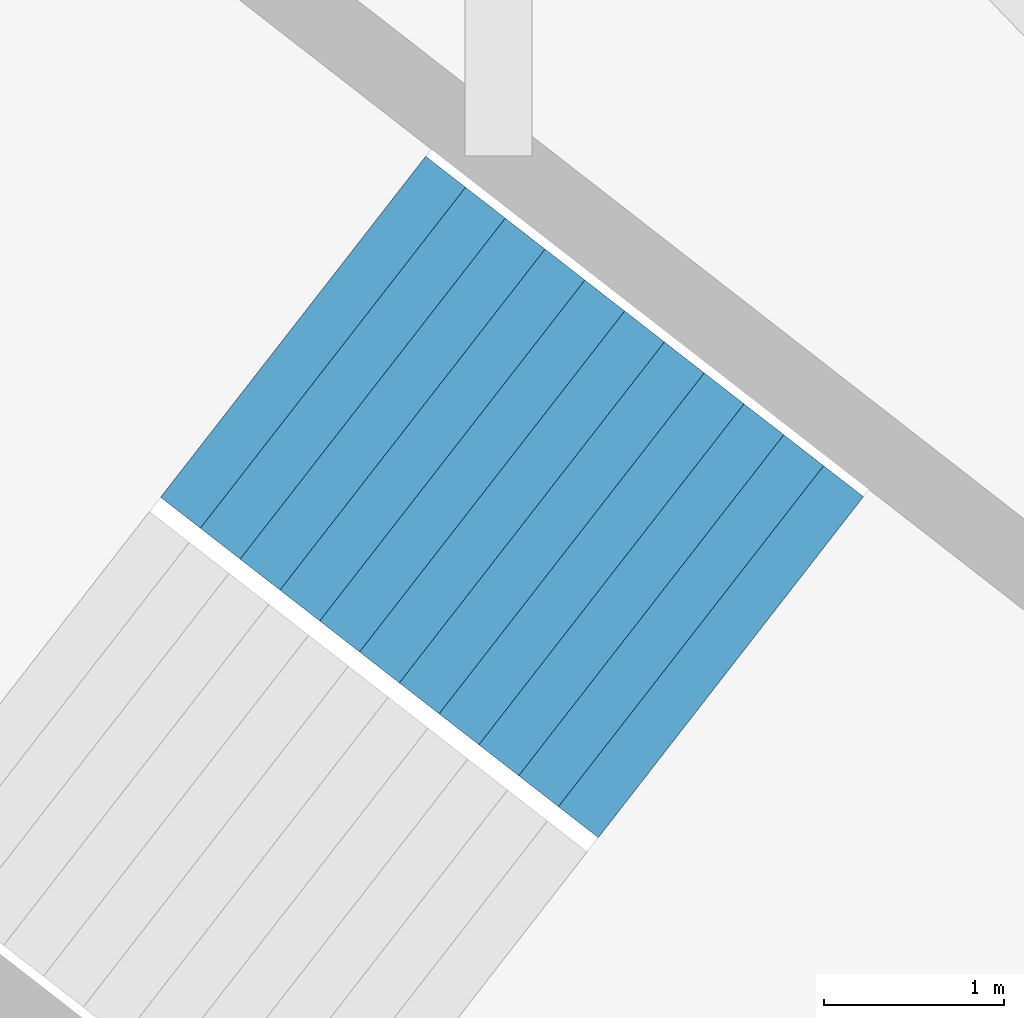
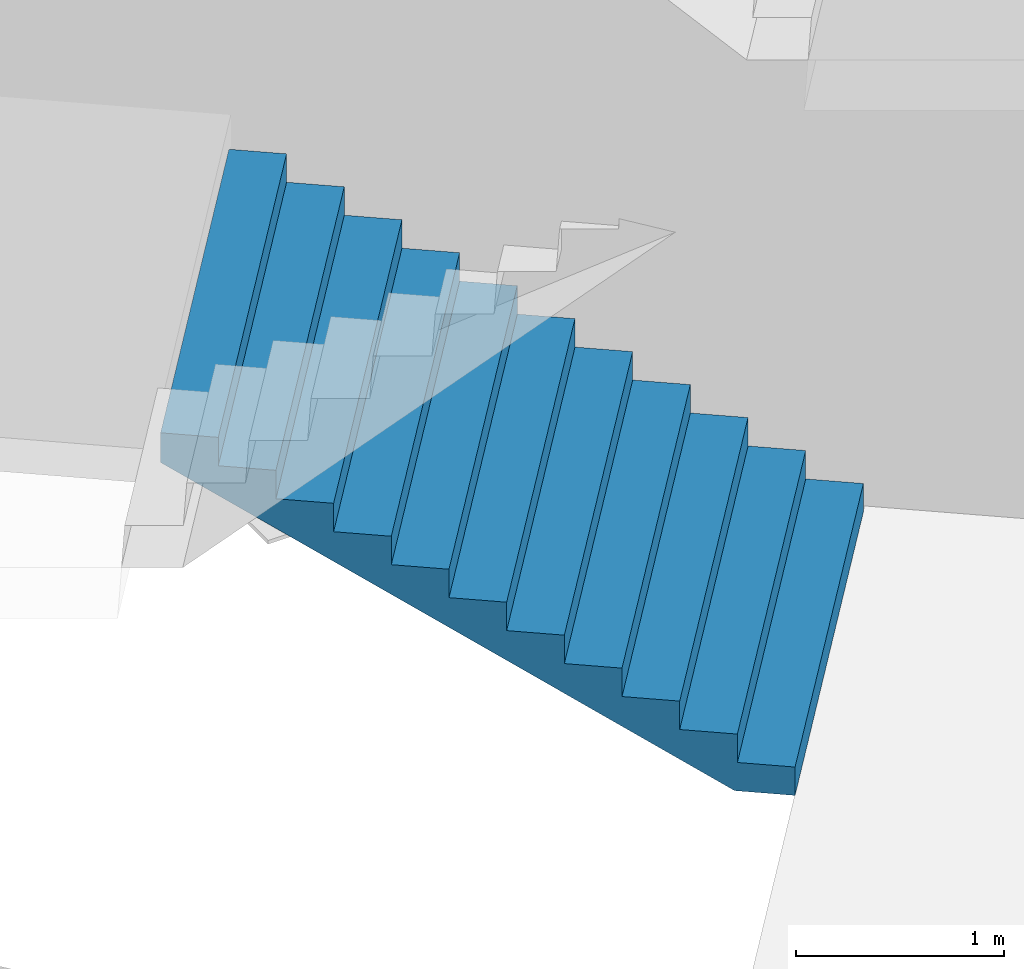
# One storey, part 40 of 74: 1 stair flight, 1 element without a shape of its own.
"""IFC4 building model written with IfcOpenShell, lengths in metres."""

from ifc_helpers import new_model, si_unit, direction, frame, origin, place, context, subcontext, project, spatial, triangles, material, type_object, element, aggregate, save


model = new_model("IFC4")

# Units and contexts
model_context = context("Model", 3, precision=1e-05, world=origin(), true_north=direction((0.0, 1.0)))
body_context = subcontext(model_context, "Body", "Model", "MODEL_VIEW")
ifc_project = project(units=[si_unit("LENGTHUNIT", "METRE"), si_unit("AREAUNIT", "SQUARE_METRE"), si_unit("VOLUMEUNIT", "CUBIC_METRE"), si_unit("PLANEANGLEUNIT", "RADIAN"), si_unit("MASSUNIT", "GRAM", prefix="KILO")], contexts=[model_context])

# Site, building, storey
site_placement = place(None, origin())
site = spatial("IfcSite", under=ifc_project, at=site_placement, CompositionType="ELEMENT")
building_placement = place(site_placement, origin())
building = spatial("IfcBuilding", under=site, at=building_placement, Name="Lantaw Convention Tower", CompositionType="ELEMENT")
storey_placement = place(building_placement, frame((0.0, 0.0, 6.5)))
storey = spatial("IfcBuildingStorey", under=building, at=storey_placement, Name="L01", CompositionType="ELEMENT", Elevation=6.5)

# Stair, stair flight
ifc_material = material(Name="Concrete C35/45", Category="concrete")
stair_type = type_object("IfcStairType", Name="Exit stair 2400 riser 166.67 in 4 flights", PredefinedType="HALF_TURN_STAIR", material=ifc_material)
stair_placement = place(storey_placement, origin())
stair = element("IfcStair", 1, at=stair_placement, inside=storey, type_object=stair_type, Name="Podium exit stair P7 L01", PredefinedType="HALF_TURN_STAIR")
stair_flight_type = type_object("IfcStairFlightType", Name="Stair flight 2400 riser 166.67", PredefinedType="STRAIGHT", material=ifc_material)
stair_flight_placement = place(storey_placement, frame((-27.959716796875, 23.327880859375, 0.0), z_axis=(0.0, 0.0, 1.0), x_axis=(-0.789378829664, 0.613906396186, 0.0)))
stair_flight = element("IfcStairFlight", 2, at=stair_flight_placement, type_object=stair_flight_type, Name="P7 flight 1", NumberOfRisers=12, NumberOfTreads=11, PredefinedType="STRAIGHT", RiserHeight=0.166666667, TreadLength=0.28, context=body_context, shape_type="Tessellation", body=[
    triangles([(0.0, 1.199951171875, 0.0), (0.0, 1.199951171875, 0.166666667), (0.28, 1.199951171875, 0.0), (0.28, 1.199951171875, 0.166666667), (0.28, 1.199951171875, 0.333333334), (0.29307345806906726, 1.199951171875, 0.0), (0.29307345806906726, 1.199951171875, 0.333333334), (0.56, 1.199951171875, 0.15888484670522965), (0.56, 1.199951171875, 0.333333334), (0.56, 1.199951171875, 0.500000001), (0.8400000000000001, 1.199951171875, 0.3255515137052296), (0.8400000000000001, 1.199951171875, 0.500000001), (0.8400000000000001, 1.199951171875, 0.666666668), (1.12, 1.199951171875, 0.4922181807052296), (1.12, 1.199951171875, 0.666666668), (1.12, 1.199951171875, 0.833333335), (1.4000000000000001, 1.199951171875, 0.6588848477052296), (1.4000000000000001, 1.199951171875, 0.833333335), (1.4000000000000001, 1.199951171875, 1.000000002), (1.6800000000000002, 1.199951171875, 0.8255515147052296), (1.6800000000000002, 1.199951171875, 1.000000002), (1.6800000000000002, 1.199951171875, 1.166666669), (1.9600000000000002, 1.199951171875, 0.9922181817052296), (1.9600000000000002, 1.199951171875, 1.166666669), (1.9600000000000002, 1.199951171875, 1.333333336), (2.24, 1.199951171875, 1.1588848487052295), (2.24, 1.199951171875, 1.333333336), (2.24, 1.199951171875, 1.5000000029999998), (2.5200000000000005, 1.199951171875, 1.3255515157052296), (2.5200000000000005, 1.199951171875, 1.5000000029999998), (2.5200000000000005, 1.199951171875, 1.66666667), (2.8000000000000003, 1.199951171875, 1.4922181827052294), (2.8000000000000003, 1.199951171875, 1.66666667), (2.8000000000000003, 1.199951171875, 1.833333337), (3.08, 1.199951171875, 1.6588848497052293), (3.08, 1.199951171875, 1.833333337), (0.0, -1.199951171875, 0.0), (0.0, -1.199951171875, 0.166666667), (0.28, -1.199951171875, 0.0), (0.28, -1.199951171875, 0.166666667), (0.28, -1.199951171875, 0.333333334), (0.29307345806906726, -1.199951171875, 0.0), (0.29307345806906726, -1.199951171875, 0.333333334), (0.56, -1.199951171875, 0.15888484670522965), (0.56, -1.199951171875, 0.333333334), (0.56, -1.199951171875, 0.500000001), (0.8400000000000001, -1.199951171875, 0.3255515137052296), (0.8400000000000001, -1.199951171875, 0.500000001), (0.8400000000000001, -1.199951171875, 0.666666668), (1.12, -1.199951171875, 0.4922181807052296), (1.12, -1.199951171875, 0.666666668), (1.12, -1.199951171875, 0.833333335), (1.4000000000000001, -1.199951171875, 0.6588848477052296), (1.4000000000000001, -1.199951171875, 0.833333335), (1.4000000000000001, -1.199951171875, 1.000000002), (1.6800000000000002, -1.199951171875, 0.8255515147052296), (1.6800000000000002, -1.199951171875, 1.000000002), (1.6800000000000002, -1.199951171875, 1.166666669), (1.9600000000000002, -1.199951171875, 0.9922181817052296), (1.9600000000000002, -1.199951171875, 1.166666669), (1.9600000000000002, -1.199951171875, 1.333333336), (2.24, -1.199951171875, 1.1588848487052295), (2.24, -1.199951171875, 1.333333336), (2.24, -1.199951171875, 1.5000000029999998), (2.5200000000000005, -1.199951171875, 1.3255515157052296), (2.5200000000000005, -1.199951171875, 1.5000000029999998), (2.5200000000000005, -1.199951171875, 1.66666667), (2.8000000000000003, -1.199951171875, 1.4922181827052294), (2.8000000000000003, -1.199951171875, 1.66666667), (2.8000000000000003, -1.199951171875, 1.833333337), (3.08, -1.199951171875, 1.6588848497052293), (3.08, -1.199951171875, 1.833333337), (0.0, 0.239990234375, 0.166666667), (0.0, 0.239990234375, 0.0), (0.0, 0.1199951171875, 0.166666667), (0.0, 0.1199951171875, 0.0), (0.0, 0.0, 0.166666667), (0.0, 0.0, 0.0), (0.0, -0.1199951171875, 0.166666667), (0.0, -0.1199951171875, 0.0), (0.0, -0.239990234375, 0.166666667), (0.0, -0.239990234375, 0.0), (0.28, 0.239990234375, 0.333333334), (0.28, 0.239990234375, 0.166666667), (0.28, 0.1199951171875, 0.333333334), (0.28, 0.1199951171875, 0.166666667), (0.28, 0.0, 0.333333334), (0.28, 0.0, 0.166666667), (0.28, -0.1199951171875, 0.333333334), (0.28, -0.1199951171875, 0.166666667), (0.28, -0.239990234375, 0.333333334), (0.28, -0.239990234375, 0.166666667), (0.56, 0.239990234375, 0.500000001), (0.56, 0.239990234375, 0.333333334), (0.56, 0.1199951171875, 0.500000001), (0.56, 0.1199951171875, 0.333333334), (0.56, 0.0, 0.500000001), (0.56, 0.0, 0.333333334), (0.56, -0.1199951171875, 0.500000001), (0.56, -0.1199951171875, 0.333333334), (0.56, -0.239990234375, 0.500000001), (0.56, -0.239990234375, 0.333333334), (0.8400000000000001, 0.239990234375, 0.666666668), (0.8400000000000001, 0.239990234375, 0.500000001), (0.8400000000000001, 0.1199951171875, 0.666666668), (0.8400000000000001, 0.1199951171875, 0.500000001), (0.8400000000000001, 0.0, 0.666666668), (0.8400000000000001, 0.0, 0.500000001), (0.8400000000000001, -0.1199951171875, 0.666666668), (0.8400000000000001, -0.1199951171875, 0.500000001), (0.8400000000000001, -0.239990234375, 0.666666668), (0.8400000000000001, -0.239990234375, 0.500000001), (1.12, 0.239990234375, 0.833333335), (1.12, 0.239990234375, 0.666666668), (1.12, 0.1199951171875, 0.833333335), (1.12, 0.1199951171875, 0.666666668), (1.12, 0.0, 0.833333335), (1.12, 0.0, 0.666666668), (1.12, -0.1199951171875, 0.833333335), (1.12, -0.1199951171875, 0.666666668), (1.12, -0.239990234375, 0.833333335), (1.12, -0.239990234375, 0.666666668), (1.4000000000000001, 0.239990234375, 1.000000002), (1.4000000000000001, 0.239990234375, 0.833333335), (1.4000000000000001, 0.1199951171875, 1.000000002), (1.4000000000000001, 0.1199951171875, 0.833333335), (1.4000000000000001, 0.0, 1.000000002), (1.4000000000000001, 0.0, 0.833333335), (1.4000000000000001, -0.1199951171875, 1.000000002), (1.4000000000000001, -0.1199951171875, 0.833333335), (1.4000000000000001, -0.239990234375, 1.000000002), (1.4000000000000001, -0.239990234375, 0.833333335), (1.6800000000000002, 0.239990234375, 1.166666669), (1.6800000000000002, 0.239990234375, 1.000000002), (1.6800000000000002, 0.1199951171875, 1.166666669), (1.6800000000000002, 0.1199951171875, 1.000000002), (1.6800000000000002, 0.0, 1.166666669), (1.6800000000000002, 0.0, 1.000000002), (1.6800000000000002, -0.1199951171875, 1.166666669), (1.6800000000000002, -0.1199951171875, 1.000000002), (1.6800000000000002, -0.239990234375, 1.166666669), (1.6800000000000002, -0.239990234375, 1.000000002), (1.9600000000000002, 0.239990234375, 1.333333336), (1.9600000000000002, 0.239990234375, 1.166666669), (1.9600000000000002, 0.1199951171875, 1.333333336), (1.9600000000000002, 0.1199951171875, 1.166666669), (1.9600000000000002, 0.0, 1.333333336), (1.9600000000000002, 0.0, 1.166666669), (1.9600000000000002, -0.1199951171875, 1.333333336), (1.9600000000000002, -0.1199951171875, 1.166666669), (1.9600000000000002, -0.239990234375, 1.333333336), (1.9600000000000002, -0.239990234375, 1.166666669), (2.24, 0.239990234375, 1.5000000029999998), (2.24, 0.239990234375, 1.333333336), (2.24, 0.1199951171875, 1.5000000029999998), (2.24, 0.1199951171875, 1.333333336), (2.24, 0.0, 1.5000000029999998), (2.24, 0.0, 1.333333336), (2.24, -0.1199951171875, 1.5000000029999998), (2.24, -0.1199951171875, 1.333333336), (2.24, -0.239990234375, 1.5000000029999998), (2.24, -0.239990234375, 1.333333336), (2.5200000000000005, 0.239990234375, 1.66666667), (2.5200000000000005, 0.239990234375, 1.5000000029999998), (2.5200000000000005, 0.1199951171875, 1.66666667), (2.5200000000000005, 0.1199951171875, 1.5000000029999998), (2.5200000000000005, 0.0, 1.66666667), (2.5200000000000005, 0.0, 1.5000000029999998), (2.5200000000000005, -0.1199951171875, 1.66666667), (2.5200000000000005, -0.1199951171875, 1.5000000029999998), (2.5200000000000005, -0.239990234375, 1.66666667), (2.5200000000000005, -0.239990234375, 1.5000000029999998), (2.8000000000000003, 0.239990234375, 1.833333337), (2.8000000000000003, 0.239990234375, 1.66666667), (2.8000000000000003, 0.1199951171875, 1.833333337), (2.8000000000000003, 0.1199951171875, 1.66666667), (2.8000000000000003, 0.0, 1.833333337), (2.8000000000000003, 0.0, 1.66666667), (2.8000000000000003, -0.1199951171875, 1.833333337), (2.8000000000000003, -0.1199951171875, 1.66666667), (2.8000000000000003, -0.239990234375, 1.833333337), (2.8000000000000003, -0.239990234375, 1.66666667), (0.29307345806906726, 0.239990234375, 0.333333334), (0.29307345806906726, 0.1199951171875, 0.333333334), (0.29307345806906726, 0.0, 0.333333334), (0.29307345806906726, -0.1199951171875, 0.333333334), (0.29307345806906726, -0.239990234375, 0.333333334), (3.08, 0.239990234375, 1.833333337), (3.08, 0.1199951171875, 1.833333337), (3.08, 0.0, 1.833333337), (3.08, -0.1199951171875, 1.833333337), (3.08, -0.239990234375, 1.833333337), (3.08, 0.239990234375, 1.6588848497052293), (3.08, 0.1199951171875, 1.6588848497052293), (3.08, 0.0, 1.6588848497052293), (3.08, -0.1199951171875, 1.6588848497052293), (3.08, -0.239990234375, 1.6588848497052293), (2.8000000000000003, 0.239990234375, 1.4922181827052294), (2.8000000000000003, 0.1199951171875, 1.4922181827052294), (2.8000000000000003, 0.0, 1.4922181827052294), (2.8000000000000003, -0.1199951171875, 1.4922181827052294), (2.8000000000000003, -0.239990234375, 1.4922181827052294), (2.5200000000000005, 0.239990234375, 1.3255515157052296), (2.5200000000000005, 0.1199951171875, 1.3255515157052296), (2.5200000000000005, 0.0, 1.3255515157052296), (2.5200000000000005, -0.1199951171875, 1.3255515157052296), (2.5200000000000005, -0.239990234375, 1.3255515157052296), (2.24, 0.239990234375, 1.1588848487052295), (2.24, 0.1199951171875, 1.1588848487052295), (2.24, 0.0, 1.1588848487052295), (2.24, -0.1199951171875, 1.1588848487052295), (2.24, -0.239990234375, 1.1588848487052295), (1.9600000000000002, 0.239990234375, 0.9922181817052296), (1.9600000000000002, 0.1199951171875, 0.9922181817052296), (1.9600000000000002, 0.0, 0.9922181817052296), (1.9600000000000002, -0.1199951171875, 0.9922181817052296), (1.9600000000000002, -0.239990234375, 0.9922181817052296), (1.6800000000000002, 0.239990234375, 0.8255515147052296), (1.6800000000000002, 0.1199951171875, 0.8255515147052296), (1.6800000000000002, 0.0, 0.8255515147052296), (1.6800000000000002, -0.1199951171875, 0.8255515147052296), (1.6800000000000002, -0.239990234375, 0.8255515147052296), (1.4000000000000001, 0.239990234375, 0.6588848477052296), (1.4000000000000001, 0.1199951171875, 0.6588848477052296), (1.4000000000000001, 0.0, 0.6588848477052296), (1.4000000000000001, -0.1199951171875, 0.6588848477052296), (1.4000000000000001, -0.239990234375, 0.6588848477052296), (1.12, 0.239990234375, 0.4922181807052296), (1.12, 0.1199951171875, 0.4922181807052296), (1.12, 0.0, 0.4922181807052296), (1.12, -0.1199951171875, 0.4922181807052296), (1.12, -0.239990234375, 0.4922181807052296), (0.8400000000000001, 0.239990234375, 0.3255515137052296), (0.8400000000000001, 0.1199951171875, 0.3255515137052296), (0.8400000000000001, 0.0, 0.3255515137052296), (0.8400000000000001, -0.1199951171875, 0.3255515137052296), (0.8400000000000001, -0.239990234375, 0.3255515137052296), (0.56, 0.239990234375, 0.15888484670522965), (0.56, 0.1199951171875, 0.15888484670522965), (0.56, 0.0, 0.15888484670522965), (0.56, -0.1199951171875, 0.15888484670522965), (0.56, -0.239990234375, 0.15888484670522965), (0.29307345806906726, 0.239990234375, 0.0), (0.29307345806906726, 0.1199951171875, 0.0), (0.29307345806906726, 0.0, 0.0), (0.29307345806906726, -0.1199951171875, 0.0), (0.29307345806906726, -0.239990234375, 0.0), (0.28, 0.239990234375, 0.0), (0.28, 0.1199951171875, 0.0), (0.28, 0.0, 0.0), (0.28, -0.1199951171875, 0.0), (0.28, -0.239990234375, 0.0)], [[1, 4, 3], [1, 2, 4], [3, 4, 6], [4, 7, 6], [4, 5, 7], [6, 9, 8], [6, 7, 9], [8, 9, 11], [9, 12, 11], [9, 10, 12], [11, 12, 14], [12, 15, 14], [12, 13, 15], [14, 15, 17], [15, 18, 17], [15, 16, 18], [17, 18, 20], [18, 21, 20], [18, 19, 21], [20, 21, 23], [21, 24, 23], [21, 22, 24], [23, 24, 26], [24, 27, 26], [24, 25, 27], [26, 27, 29], [27, 30, 29], [27, 28, 30], [29, 30, 32], [30, 33, 32], [30, 31, 33], [32, 33, 35], [33, 36, 35], [33, 34, 36], [37, 39, 40], [37, 40, 38], [39, 42, 40], [40, 42, 43], [40, 43, 41], [42, 44, 45], [42, 45, 43], [44, 47, 45], [45, 47, 48], [45, 48, 46], [47, 50, 48], [48, 50, 51], [48, 51, 49], [50, 53, 51], [51, 53, 54], [51, 54, 52], [53, 56, 54], [54, 56, 57], [54, 57, 55], [56, 59, 57], [57, 59, 60], [57, 60, 58], [59, 62, 60], [60, 62, 63], [60, 63, 61], [62, 65, 63], [63, 65, 66], [63, 66, 64], [65, 68, 66], [66, 68, 69], [66, 69, 67], [68, 71, 69], [69, 71, 72], [69, 72, 70], [1, 73, 2], [1, 74, 73], [74, 75, 73], [74, 76, 75], [76, 77, 75], [76, 78, 77], [78, 79, 77], [78, 80, 79], [80, 81, 79], [80, 82, 81], [82, 38, 81], [82, 37, 38], [4, 83, 5], [4, 84, 83], [84, 85, 83], [84, 86, 85], [86, 87, 85], [86, 88, 87], [88, 89, 87], [88, 90, 89], [90, 91, 89], [90, 92, 91], [92, 41, 91], [92, 40, 41], [9, 93, 10], [9, 94, 93], [94, 95, 93], [94, 96, 95], [96, 97, 95], [96, 98, 97], [98, 99, 97], [98, 100, 99], [100, 101, 99], [100, 102, 101], [102, 46, 101], [102, 45, 46], [12, 103, 13], [12, 104, 103], [104, 105, 103], [104, 106, 105], [106, 107, 105], [106, 108, 107], [108, 109, 107], [108, 110, 109], [110, 111, 109], [110, 112, 111], [112, 49, 111], [112, 48, 49], [15, 113, 16], [15, 114, 113], [114, 115, 113], [114, 116, 115], [116, 117, 115], [116, 118, 117], [118, 119, 117], [118, 120, 119], [120, 121, 119], [120, 122, 121], [122, 52, 121], [122, 51, 52], [18, 123, 19], [18, 124, 123], [124, 125, 123], [124, 126, 125], [126, 127, 125], [126, 128, 127], [128, 129, 127], [128, 130, 129], [130, 131, 129], [130, 132, 131], [132, 55, 131], [132, 54, 55], [21, 133, 22], [21, 134, 133], [134, 135, 133], [134, 136, 135], [136, 137, 135], [136, 138, 137], [138, 139, 137], [138, 140, 139], [140, 141, 139], [140, 142, 141], [142, 58, 141], [142, 57, 58], [24, 143, 25], [24, 144, 143], [144, 145, 143], [144, 146, 145], [146, 147, 145], [146, 148, 147], [148, 149, 147], [148, 150, 149], [150, 151, 149], [150, 152, 151], [152, 61, 151], [152, 60, 61], [27, 153, 28], [27, 154, 153], [154, 155, 153], [154, 156, 155], [156, 157, 155], [156, 158, 157], [158, 159, 157], [158, 160, 159], [160, 161, 159], [160, 162, 161], [162, 64, 161], [162, 63, 64], [30, 163, 31], [30, 164, 163], [164, 165, 163], [164, 166, 165], [166, 167, 165], [166, 168, 167], [168, 169, 167], [168, 170, 169], [170, 171, 169], [170, 172, 171], [172, 67, 171], [172, 66, 67], [33, 173, 34], [33, 174, 173], [174, 175, 173], [174, 176, 175], [176, 177, 175], [176, 178, 177], [178, 179, 177], [178, 180, 179], [180, 181, 179], [180, 182, 181], [182, 70, 181], [182, 69, 70], [2, 84, 4], [2, 73, 84], [73, 86, 84], [73, 75, 86], [75, 88, 86], [75, 77, 88], [77, 90, 88], [77, 79, 90], [79, 92, 90], [79, 81, 92], [81, 40, 92], [81, 38, 40], [5, 183, 7], [5, 83, 183], [83, 184, 183], [83, 85, 184], [85, 185, 184], [85, 87, 185], [87, 186, 185], [87, 89, 186], [89, 187, 186], [89, 91, 187], [91, 43, 187], [91, 41, 43], [7, 94, 9], [7, 183, 94], [183, 96, 94], [183, 184, 96], [184, 98, 96], [184, 185, 98], [185, 100, 98], [185, 186, 100], [186, 102, 100], [186, 187, 102], [187, 45, 102], [187, 43, 45], [10, 104, 12], [10, 93, 104], [93, 106, 104], [93, 95, 106], [95, 108, 106], [95, 97, 108], [97, 110, 108], [97, 99, 110], [99, 112, 110], [99, 101, 112], [101, 48, 112], [101, 46, 48], [13, 114, 15], [13, 103, 114], [103, 116, 114], [103, 105, 116], [105, 118, 116], [105, 107, 118], [107, 120, 118], [107, 109, 120], [109, 122, 120], [109, 111, 122], [111, 51, 122], [111, 49, 51], [16, 124, 18], [16, 113, 124], [113, 126, 124], [113, 115, 126], [115, 128, 126], [115, 117, 128], [117, 130, 128], [117, 119, 130], [119, 132, 130], [119, 121, 132], [121, 54, 132], [121, 52, 54], [19, 134, 21], [19, 123, 134], [123, 136, 134], [123, 125, 136], [125, 138, 136], [125, 127, 138], [127, 140, 138], [127, 129, 140], [129, 142, 140], [129, 131, 142], [131, 57, 142], [131, 55, 57], [22, 144, 24], [22, 133, 144], [133, 146, 144], [133, 135, 146], [135, 148, 146], [135, 137, 148], [137, 150, 148], [137, 139, 150], [139, 152, 150], [139, 141, 152], [141, 60, 152], [141, 58, 60], [25, 154, 27], [25, 143, 154], [143, 156, 154], [143, 145, 156], [145, 158, 156], [145, 147, 158], [147, 160, 158], [147, 149, 160], [149, 162, 160], [149, 151, 162], [151, 63, 162], [151, 61, 63], [28, 164, 30], [28, 153, 164], [153, 166, 164], [153, 155, 166], [155, 168, 166], [155, 157, 168], [157, 170, 168], [157, 159, 170], [159, 172, 170], [159, 161, 172], [161, 66, 172], [161, 64, 66], [31, 174, 33], [31, 163, 174], [163, 176, 174], [163, 165, 176], [165, 178, 176], [165, 167, 178], [167, 180, 178], [167, 169, 180], [169, 182, 180], [169, 171, 182], [171, 69, 182], [171, 67, 69], [34, 188, 36], [34, 173, 188], [173, 189, 188], [173, 175, 189], [175, 190, 189], [175, 177, 190], [177, 191, 190], [177, 179, 191], [179, 192, 191], [179, 181, 192], [181, 72, 192], [181, 70, 72], [36, 193, 35], [36, 188, 193], [188, 194, 193], [188, 189, 194], [189, 195, 194], [189, 190, 195], [190, 196, 195], [190, 191, 196], [191, 197, 196], [191, 192, 197], [192, 71, 197], [192, 72, 71], [35, 198, 32], [35, 193, 198], [193, 199, 198], [193, 194, 199], [194, 200, 199], [194, 195, 200], [195, 201, 200], [195, 196, 201], [196, 202, 201], [196, 197, 202], [197, 68, 202], [197, 71, 68], [32, 203, 29], [32, 198, 203], [198, 204, 203], [198, 199, 204], [199, 205, 204], [199, 200, 205], [200, 206, 205], [200, 201, 206], [201, 207, 206], [201, 202, 207], [202, 65, 207], [202, 68, 65], [29, 208, 26], [29, 203, 208], [203, 209, 208], [203, 204, 209], [204, 210, 209], [204, 205, 210], [205, 211, 210], [205, 206, 211], [206, 212, 211], [206, 207, 212], [207, 62, 212], [207, 65, 62], [26, 213, 23], [26, 208, 213], [208, 214, 213], [208, 209, 214], [209, 215, 214], [209, 210, 215], [210, 216, 215], [210, 211, 216], [211, 217, 216], [211, 212, 217], [212, 59, 217], [212, 62, 59], [23, 218, 20], [23, 213, 218], [213, 219, 218], [213, 214, 219], [214, 220, 219], [214, 215, 220], [215, 221, 220], [215, 216, 221], [216, 222, 221], [216, 217, 222], [217, 56, 222], [217, 59, 56], [20, 223, 17], [20, 218, 223], [218, 224, 223], [218, 219, 224], [219, 225, 224], [219, 220, 225], [220, 226, 225], [220, 221, 226], [221, 227, 226], [221, 222, 227], [222, 53, 227], [222, 56, 53], [17, 228, 14], [17, 223, 228], [223, 229, 228], [223, 224, 229], [224, 230, 229], [224, 225, 230], [225, 231, 230], [225, 226, 231], [226, 232, 231], [226, 227, 232], [227, 50, 232], [227, 53, 50], [14, 233, 11], [14, 228, 233], [228, 234, 233], [228, 229, 234], [229, 235, 234], [229, 230, 235], [230, 236, 235], [230, 231, 236], [231, 237, 236], [231, 232, 237], [232, 47, 237], [232, 50, 47], [11, 238, 8], [11, 233, 238], [233, 239, 238], [233, 234, 239], [234, 240, 239], [234, 235, 240], [235, 241, 240], [235, 236, 241], [236, 242, 241], [236, 237, 242], [237, 44, 242], [237, 47, 44], [8, 243, 6], [8, 238, 243], [238, 244, 243], [238, 239, 244], [239, 245, 244], [239, 240, 245], [240, 246, 245], [240, 241, 246], [241, 247, 246], [241, 242, 247], [242, 42, 247], [242, 44, 42], [6, 248, 3], [6, 243, 248], [243, 249, 248], [243, 244, 249], [244, 250, 249], [244, 245, 250], [245, 251, 250], [245, 246, 251], [246, 252, 251], [246, 247, 252], [247, 39, 252], [247, 42, 39], [3, 74, 1], [3, 248, 74], [248, 76, 74], [248, 249, 76], [249, 78, 76], [249, 250, 78], [250, 80, 78], [250, 251, 80], [251, 82, 80], [251, 252, 82], [252, 37, 82], [252, 39, 37]], closed=True),
])
aggregate(stair, [stair_flight])

save(model, "model.ifc")
